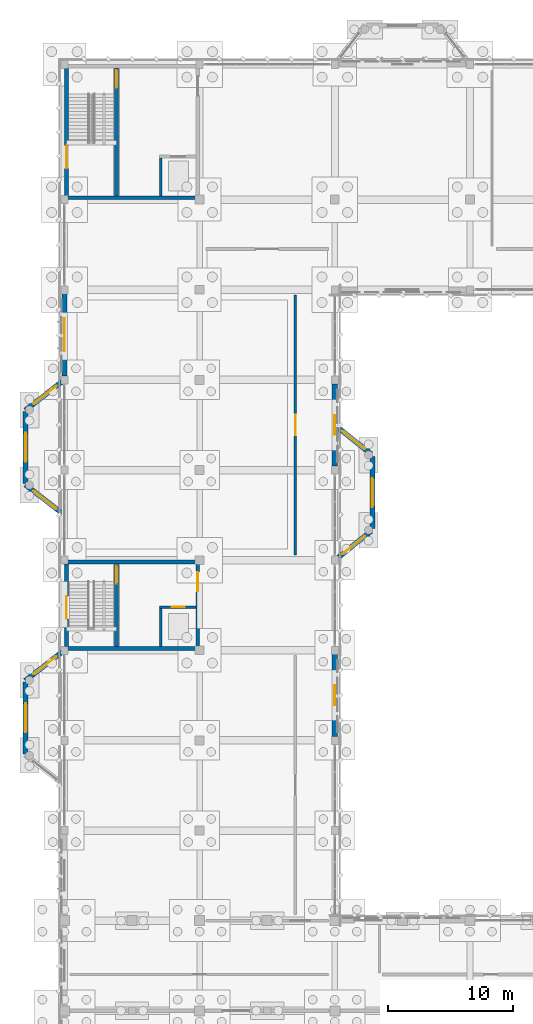
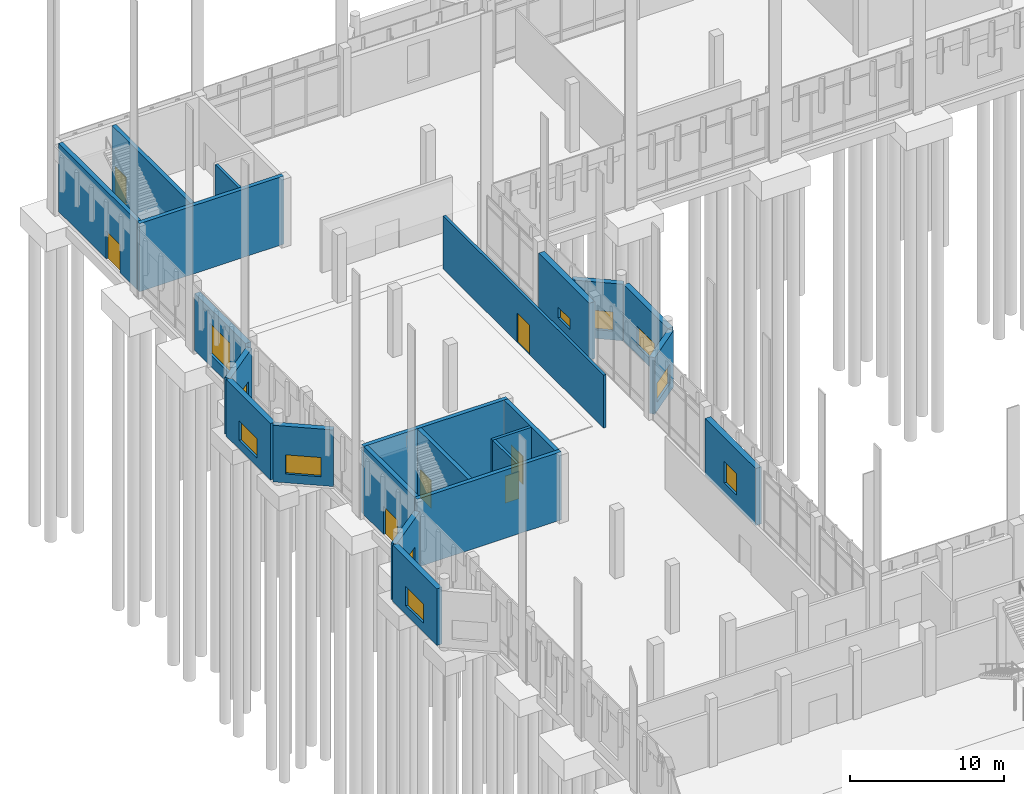
# One storey, part 86 of 109: 23 walls, 11 windows, 7 doors, 18 openings.
"""IFC4 building model written with IfcOpenShell, lengths in metres."""

from ifc_helpers import new_model, si_unit, direction, frame, frame_2d, origin, place, context, subcontext, project, spatial, rectangle, extrude, material, layer, layer_set, type_object, element, fill, save


model = new_model("IFC4")

# Units and contexts
model_context = context("Model", 3, precision=1e-05, world=origin(), true_north=direction((0.0, 1.0)))
body_context = subcontext(model_context, "Body", "Model", "MODEL_VIEW")
ifc_project = project(units=[si_unit("LENGTHUNIT", "METRE"), si_unit("AREAUNIT", "SQUARE_METRE"), si_unit("VOLUMEUNIT", "CUBIC_METRE"), si_unit("PLANEANGLEUNIT", "RADIAN"), si_unit("MASSUNIT", "GRAM", prefix="KILO")], contexts=[model_context])

# Site, building, storey
site_placement = place(None, origin())
site = spatial("IfcSite", under=ifc_project, at=site_placement, CompositionType="ELEMENT")
building_placement = place(site_placement, origin())
building = spatial("IfcBuilding", under=site, at=building_placement, Name="Lusvemor Sports Hall", CompositionType="ELEMENT")
storey_placement = place(building_placement, origin())
storey = spatial("IfcBuildingStorey", under=building, at=storey_placement, Name="L00", CompositionType="ELEMENT", Elevation=0.0)

# Wall, opening, window
ifc_material_1 = material(Name="Precast granite-faced Concrete C40/50 architectural cladding", Category="masonry")
ifc_layer_1 = layer(ifc_material_1, 0.39501953125)
ifc_layer_set_1 = layer_set([ifc_layer_1], Name="Precast granite-faced Concrete C40/50 architectural cladding")
wall_type_1 = type_object("IfcWallType", Name="EW_GRANITE_395", PredefinedType="STANDARD", material=ifc_layer_set_1)
wall_1_placement = place(storey_placement, frame((-3.10009765625, 60.1201171875, 0.0), z_axis=(0.0, 0.0, 1.0), x_axis=(0.0, 1.0, 0.0)))
wall_1 = element("IfcWall", 1, at=wall_1_placement, inside=storey, type_object=wall_type_1, Name="Art Nouveau Bow Wall EW-BOW-W1-L00-2", PredefinedType="STANDARD", context=body_context, shape_type="SweptSolid", body=[
    extrude(rectangle(XDim=5.759765625, YDim=0.39501953125, at=frame_2d((2.8798828125, 0.0))), origin(), (0.0, 0.0, 1.0), 4.47998046875),
])
opening_1_placement = place(wall_1_placement, frame((1.719970703125, 0.0, 0.699951171875)))
opening_1 = element("IfcOpeningElement", 2, at=opening_1_placement, cuts=wall_1, Name="Opening WN21", PredefinedType="OPENING", context=body_context, shape_type="SweptSolid", body=[
    extrude(rectangle(XDim=2.320068359375, YDim=1.52001953125, at=frame_2d((1.16015625, 0.760009765625))), frame((0.0, 0.197509765625, 0.0), z_axis=(0.0, -1.0, 0.0), x_axis=(1.0, 0.0, 0.0)), (0.0, 0.0, 1.0), 0.39501953125),
])
ifc_material_2 = material(Name="Solar-control laminated double glazing", Category="glass")
window_type_1 = type_object("IfcWindowType", Name="WIN_21", PartitioningType="SINGLE_PANEL", PredefinedType="WINDOW", material=ifc_material_2)
window_1_placement = place(opening_1_placement, origin())
window_1 = element("IfcWindow", 3, at=window_1_placement, inside=storey, type_object=window_type_1, Name="Art Nouveau Bow Window BOW-W1 L00-2", OverallHeight=1.52001953125, OverallWidth=2.320068359375, PartitioningType="SINGLE_PANEL", PredefinedType="WINDOW", context=body_context, shape_type="SweptSolid", body=[
    extrude(rectangle(XDim=2.320068359375, YDim=1.52001953125, at=frame_2d((1.16015625, 0.760009765625))), frame((0.0, 0.030029296875, 0.0), z_axis=(0.0, -1.0, 0.0), x_axis=(1.0, 0.0, 0.0)), (0.0, 0.0, 1.0), 0.06005859375),
])
fill(opening_1, window_1)

wall_2_placement = place(storey_placement, frame((-3.134033203125, 65.9736328125, 0.0), z_axis=(0.0, 0.0, 1.0), x_axis=(0.790733325939, 0.612160769119, 0.0)))
wall_2 = element("IfcWall", 4, at=wall_2_placement, inside=storey, type_object=wall_type_1, Name="Art Nouveau Bow Wall EW-BOW-W1-L00-3", PredefinedType="STANDARD", context=body_context, shape_type="SweptSolid", body=[
    extrude(rectangle(XDim=3.96337890625, YDim=0.39501953125, at=frame_2d((1.981689453125, 0.0))), origin(), (0.0, 0.0, 1.0), 4.47998046875),
])
opening_2_placement = place(wall_2_placement, frame((0.843017578125, 0.0, 0.699951171875)))
opening_2 = element("IfcOpeningElement", 5, at=opening_2_placement, cuts=wall_2, Name="Opening WN21", PredefinedType="OPENING", context=body_context, shape_type="SweptSolid", body=[
    extrude(rectangle(XDim=2.320068359375, YDim=1.52001953125, at=frame_2d((1.16015625, 0.760009765625))), frame((0.0, 0.197509765625, 0.0), z_axis=(0.0, -1.0, 0.0), x_axis=(1.0, 0.0, 0.0)), (0.0, 0.0, 1.0), 0.39501953125),
])
window_2_placement = place(opening_2_placement, origin())
window_2 = element("IfcWindow", 6, at=window_2_placement, inside=storey, type_object=window_type_1, Name="Art Nouveau Bow Window BOW-W1 L00-3", OverallHeight=1.52001953125, OverallWidth=2.320068359375, PartitioningType="SINGLE_PANEL", PredefinedType="WINDOW", context=body_context, shape_type="SweptSolid", body=[
    extrude(rectangle(XDim=2.320068359375, YDim=1.52001953125, at=frame_2d((1.16015625, 0.760009765625))), frame((0.0, 0.030029296875, 0.0), z_axis=(0.0, -1.0, 0.0), x_axis=(1.0, 0.0, 0.0)), (0.0, 0.0, 1.0), 0.06005859375),
])
fill(opening_2, window_2)

wall_3_placement = place(storey_placement, frame((-0.00439453125, 79.203369140625, 0.0), z_axis=(0.0, 0.0, 1.0), x_axis=(-0.790735265816, 0.612158263356, 0.0)))
wall_3 = element("IfcWall", 7, at=wall_3_placement, inside=storey, type_object=wall_type_1, Name="Art Nouveau Bow Wall EW-BOW-W2-L00-1", PredefinedType="STANDARD", context=body_context, shape_type="SweptSolid", body=[
    extrude(rectangle(XDim=3.957763671875, YDim=0.39501953125, at=frame_2d((1.97900390625, 0.0))), origin(), (0.0, 0.0, 1.0), 4.47998046875),
])
opening_3_placement = place(wall_3_placement, frame((0.794677734375, 0.0, 0.699951171875)))
opening_3 = element("IfcOpeningElement", 8, at=opening_3_placement, cuts=wall_3, Name="Opening WN21", PredefinedType="OPENING", context=body_context, shape_type="SweptSolid", body=[
    extrude(rectangle(XDim=2.320068359375, YDim=1.52001953125, at=frame_2d((1.16015625, 0.760009765625))), frame((0.0, 0.197509765625, 0.0), z_axis=(0.0, -1.0, 0.0), x_axis=(1.0, 0.0, 0.0)), (0.0, 0.0, 1.0), 0.39501953125),
])
window_3_placement = place(opening_3_placement, origin())
window_3 = element("IfcWindow", 9, at=window_3_placement, inside=storey, type_object=window_type_1, Name="Art Nouveau Bow Window BOW-W2 L00-1", OverallHeight=1.52001953125, OverallWidth=2.320068359375, PartitioningType="SINGLE_PANEL", PredefinedType="WINDOW", context=body_context, shape_type="SweptSolid", body=[
    extrude(rectangle(XDim=2.320068359375, YDim=1.52001953125, at=frame_2d((1.16015625, 0.760009765625))), frame((0.0, 0.030029296875, 0.0), z_axis=(0.0, -1.0, 0.0), x_axis=(1.0, 0.0, 0.0)), (0.0, 0.0, 1.0), 0.06005859375),
])
fill(opening_3, window_3)

wall_4_placement = place(storey_placement, frame((-3.10009765625, 81.719970703125, 0.0), z_axis=(0.0, 0.0, 1.0), x_axis=(0.0, 1.0, 0.0)))
wall_4 = element("IfcWall", 10, at=wall_4_placement, inside=storey, type_object=wall_type_1, Name="Art Nouveau Bow Wall EW-BOW-W2-L00-2", PredefinedType="STANDARD", context=body_context, shape_type="SweptSolid", body=[
    extrude(rectangle(XDim=5.760009765625, YDim=0.39501953125, at=frame_2d((2.8798828125, 0.0))), origin(), (0.0, 0.0, 1.0), 4.47998046875),
])
opening_4_placement = place(wall_4_placement, frame((1.719970703125, 0.0, 0.699951171875)))
opening_4 = element("IfcOpeningElement", 11, at=opening_4_placement, cuts=wall_4, Name="Opening WN21", PredefinedType="OPENING", context=body_context, shape_type="SweptSolid", body=[
    extrude(rectangle(XDim=2.320068359375, YDim=1.52001953125, at=frame_2d((1.16015625, 0.760009765625))), frame((0.0, 0.197509765625, 0.0), z_axis=(0.0, -1.0, 0.0), x_axis=(1.0, 0.0, 0.0)), (0.0, 0.0, 1.0), 0.39501953125),
])
window_4_placement = place(opening_4_placement, origin())
window_4 = element("IfcWindow", 12, at=window_4_placement, inside=storey, type_object=window_type_1, Name="Art Nouveau Bow Window BOW-W2 L00-2", OverallHeight=1.52001953125, OverallWidth=2.320068359375, PartitioningType="SINGLE_PANEL", PredefinedType="WINDOW", context=body_context, shape_type="SweptSolid", body=[
    extrude(rectangle(XDim=2.320068359375, YDim=1.52001953125, at=frame_2d((1.16015625, 0.760009765625))), frame((0.0, 0.030029296875, 0.0), z_axis=(0.0, -1.0, 0.0), x_axis=(1.0, 0.0, 0.0)), (0.0, 0.0, 1.0), 0.06005859375),
])
fill(opening_4, window_4)

wall_5_placement = place(storey_placement, frame((-3.134033203125, 87.57373046875, 0.0), z_axis=(0.0, 0.0, 1.0), x_axis=(0.790748278924, 0.612141453734, 0.0)))
wall_5 = element("IfcWall", 13, at=wall_5_placement, inside=storey, type_object=wall_type_1, Name="Art Nouveau Bow Wall EW-BOW-W2-L00-3", PredefinedType="STANDARD", context=body_context, shape_type="SweptSolid", body=[
    extrude(rectangle(XDim=3.723388671875, YDim=0.39501953125, at=frame_2d((1.86181640625, 0.0))), origin(), (0.0, 0.0, 1.0), 4.47998046875),
])
opening_5_placement = place(wall_5_placement, frame((0.843017578125, 0.0, 0.699951171875)))
opening_5 = element("IfcOpeningElement", 14, at=opening_5_placement, cuts=wall_5, Name="Opening WN21", PredefinedType="OPENING", context=body_context, shape_type="SweptSolid", body=[
    extrude(rectangle(XDim=2.320068359375, YDim=1.52001953125, at=frame_2d((1.16015625, 0.760009765625))), frame((0.0, 0.197509765625, 0.0), z_axis=(0.0, -1.0, 0.0), x_axis=(1.0, 0.0, 0.0)), (0.0, 0.0, 1.0), 0.39501953125),
])
window_5_placement = place(opening_5_placement, origin())
window_5 = element("IfcWindow", 15, at=window_5_placement, inside=storey, type_object=window_type_1, Name="Art Nouveau Bow Window BOW-W2 L00-3", OverallHeight=1.52001953125, OverallWidth=2.320068359375, PartitioningType="SINGLE_PANEL", PredefinedType="WINDOW", context=body_context, shape_type="SweptSolid", body=[
    extrude(rectangle(XDim=2.320068359375, YDim=1.52001953125, at=frame_2d((1.16015625, 0.760009765625))), frame((0.0, 0.030029296875, 0.0), z_axis=(0.0, -1.0, 0.0), x_axis=(1.0, 0.0, 0.0)), (0.0, 0.0, 1.0), 0.06005859375),
])
fill(opening_5, window_5)

wall_6_placement = place(storey_placement, frame((21.896728515625, 86.16259765625, 0.0), z_axis=(0.0, 0.0, 1.0), x_axis=(0.780875936628, -0.62468613847, 0.0)))
wall_6 = element("IfcWall", 16, at=wall_6_placement, inside=storey, type_object=wall_type_1, Name="Art Nouveau Bow Wall EW-BOW-CT-L00-1", PredefinedType="STANDARD", context=body_context, shape_type="SweptSolid", body=[
    extrude(rectangle(XDim=3.341796875, YDim=0.39501953125, at=frame_2d((1.6708984375, 0.0))), origin(), (0.0, 0.0, 1.0), 4.47998046875),
])
opening_6_placement = place(wall_6_placement, frame((0.381103515625, 0.0, 0.699951171875)))
opening_6 = element("IfcOpeningElement", 17, at=opening_6_placement, cuts=wall_6, Name="Opening WN21", PredefinedType="OPENING", context=body_context, shape_type="SweptSolid", body=[
    extrude(rectangle(XDim=2.320068359375, YDim=1.52001953125, at=frame_2d((1.16015625, 0.760009765625))), frame((0.0, 0.197509765625, 0.0), z_axis=(0.0, -1.0, 0.0), x_axis=(1.0, 0.0, 0.0)), (0.0, 0.0, 1.0), 0.39501953125),
])
window_6_placement = place(opening_6_placement, origin())
window_6 = element("IfcWindow", 18, at=window_6_placement, inside=storey, type_object=window_type_1, Name="Art Nouveau Bow Window BOW-CT L00-1", OverallHeight=1.52001953125, OverallWidth=2.320068359375, PartitioningType="SINGLE_PANEL", PredefinedType="WINDOW", context=body_context, shape_type="SweptSolid", body=[
    extrude(rectangle(XDim=2.320068359375, YDim=1.52001953125, at=frame_2d((1.16015625, 0.760009765625))), frame((0.0, 0.030029296875, 0.0), z_axis=(0.0, -1.0, 0.0), x_axis=(1.0, 0.0, 0.0)), (0.0, 0.0, 1.0), 0.06005859375),
])
fill(opening_6, window_6)

wall_7_placement = place(storey_placement, frame((24.60009765625, 83.8798828125, 0.0), z_axis=(0.0, 0.0, 1.0), x_axis=(0.0, -1.0, 0.0)))
wall_7 = element("IfcWall", 19, at=wall_7_placement, inside=storey, type_object=wall_type_1, Name="Art Nouveau Bow Wall EW-BOW-CT-L00-2", PredefinedType="STANDARD", context=body_context, shape_type="SweptSolid", body=[
    extrude(rectangle(XDim=5.759765625, YDim=0.39501953125, at=frame_2d((2.8798828125, 0.0))), origin(), (0.0, 0.0, 1.0), 4.47998046875),
])
opening_7_placement = place(wall_7_placement, frame((1.719970703125, 0.0, 0.699951171875)))
opening_7 = element("IfcOpeningElement", 20, at=opening_7_placement, cuts=wall_7, Name="Opening WN21", PredefinedType="OPENING", context=body_context, shape_type="SweptSolid", body=[
    extrude(rectangle(XDim=2.320068359375, YDim=1.52001953125, at=frame_2d((1.16015625, 0.760009765625))), frame((0.0, 0.197509765625, 0.0), z_axis=(0.0, -1.0, 0.0), x_axis=(1.0, 0.0, 0.0)), (0.0, 0.0, 1.0), 0.39501953125),
])
window_7_placement = place(opening_7_placement, origin())
window_7 = element("IfcWindow", 21, at=window_7_placement, inside=storey, type_object=window_type_1, Name="Art Nouveau Bow Window BOW-CT L00-2", OverallHeight=1.52001953125, OverallWidth=2.320068359375, PartitioningType="SINGLE_PANEL", PredefinedType="WINDOW", context=body_context, shape_type="SweptSolid", body=[
    extrude(rectangle(XDim=2.320068359375, YDim=1.52001953125, at=frame_2d((1.16015625, 0.760009765625))), frame((0.0, 0.030029296875, 0.0), z_axis=(0.0, -1.0, 0.0), x_axis=(1.0, 0.0, 0.0)), (0.0, 0.0, 1.0), 0.06005859375),
])
fill(opening_7, window_7)

wall_8_placement = place(storey_placement, frame((24.50634765625, 77.925048828125, 0.0), z_axis=(0.0, 0.0, 1.0), x_axis=(-0.780875936628, -0.62468613847, 0.0)))
wall_8 = element("IfcWall", 22, at=wall_8_placement, inside=storey, type_object=wall_type_1, Name="Art Nouveau Bow Wall EW-BOW-CT-L00-3", PredefinedType="STANDARD", context=body_context, shape_type="SweptSolid", body=[
    extrude(rectangle(XDim=3.341796875, YDim=0.39501953125, at=frame_2d((1.6708984375, 0.0))), origin(), (0.0, 0.0, 1.0), 4.47998046875),
])
opening_8_placement = place(wall_8_placement, frame((0.64111328125, 0.0, 0.699951171875)))
opening_8 = element("IfcOpeningElement", 23, at=opening_8_placement, cuts=wall_8, Name="Opening WN21", PredefinedType="OPENING", context=body_context, shape_type="SweptSolid", body=[
    extrude(rectangle(XDim=2.320068359375, YDim=1.52001953125, at=frame_2d((1.16015625, 0.760009765625))), frame((0.0, 0.197509765625, 0.0), z_axis=(0.0, -1.0, 0.0), x_axis=(1.0, 0.0, 0.0)), (0.0, 0.0, 1.0), 0.39501953125),
])
window_8_placement = place(opening_8_placement, origin())
window_8 = element("IfcWindow", 24, at=window_8_placement, inside=storey, type_object=window_type_1, Name="Art Nouveau Bow Window BOW-CT L00-3", OverallHeight=1.52001953125, OverallWidth=2.320068359375, PartitioningType="SINGLE_PANEL", PredefinedType="WINDOW", context=body_context, shape_type="SweptSolid", body=[
    extrude(rectangle(XDim=2.320068359375, YDim=1.52001953125, at=frame_2d((1.16015625, 0.760009765625))), frame((0.0, 0.030029296875, 0.0), z_axis=(0.0, -1.0, 0.0), x_axis=(1.0, 0.0, 0.0)), (0.0, 0.0, 1.0), 0.06005859375),
])
fill(opening_8, window_8)

ifc_material_3 = material(Name="Precast granite-faced Concrete C40/50 architectural cladding", Category="masonry")
ifc_layer_2 = layer(ifc_material_3, 0.419921875)
ifc_layer_set_2 = layer_set([ifc_layer_2], Name="Precast granite-faced Concrete C40/50 architectural cladding")
wall_type_2 = type_object("IfcWallType", Name="EW_GRANITE_420", PredefinedType="STANDARD", material=ifc_layer_set_2)
wall_9_placement = place(storey_placement, frame((0.0, 90.31591796875, 0.0), z_axis=(0.0, 0.0, 1.0), x_axis=(0.0, 1.0, 0.0)))
wall_9 = element("IfcWall", 25, at=wall_9_placement, inside=storey, type_object=wall_type_2, Name="Exterior Wall EW-L00-W-0-6", PredefinedType="STANDARD", context=body_context, shape_type="SweptSolid", body=[
    extrude(rectangle(XDim=6.568115234375, YDim=0.419921875, at=frame_2d((3.2841796875, 0.0))), origin(), (0.0, 0.0, 1.0), 4.514892578125),
])
opening_9_placement = place(wall_9_placement, frame((1.958984375, 0.0, 0.89990234375)))
opening_9 = element("IfcOpeningElement", 26, at=opening_9_placement, cuts=wall_9, Name="Opening WN07", PredefinedType="OPENING", context=body_context, shape_type="SweptSolid", body=[
    extrude(rectangle(XDim=2.64990234375, YDim=2.449951171875, at=frame_2d((1.324951171875, 1.22509765625))), frame((0.0, 0.2099609375, 0.0), z_axis=(0.0, -1.0, 0.0), x_axis=(1.0, 0.0, 0.0)), (0.0, 0.0, 1.0), 0.419921875),
])
ifc_material_4 = material(Name="Solar-control laminated double glazing", Category="glass")
window_type_2 = type_object("IfcWindowType", Name="WIN_07", PartitioningType="SINGLE_PANEL", PredefinedType="WINDOW", material=ifc_material_4)
window_9_placement = place(opening_9_placement, origin())
window_9 = element("IfcWindow", 27, at=window_9_placement, inside=storey, type_object=window_type_2, Name="Wing Window L00-W-0-6", OverallHeight=2.449951171875, OverallWidth=2.64990234375, PartitioningType="SINGLE_PANEL", PredefinedType="WINDOW", context=body_context, shape_type="SweptSolid", body=[
    extrude(rectangle(XDim=2.64990234375, YDim=2.449951171875, at=frame_2d((1.324951171875, 1.22509765625))), frame((0.0, 0.030029296875, 0.0), z_axis=(0.0, -1.0, 0.0), x_axis=(1.0, 0.0, 0.0)), (0.0, 0.0, 1.0), 0.06005859375),
])
fill(opening_9, window_9)

wall_10_placement = place(storey_placement, frame((21.60009765625, 68.083984375, 0.0), z_axis=(0.0, 0.0, 1.0), x_axis=(0.0, -1.0, 0.0)))
wall_10 = element("IfcWall", 28, at=wall_10_placement, inside=storey, type_object=wall_type_2, Name="Exterior Wall EW-L00-E-4-2", PredefinedType="STANDARD", context=body_context, shape_type="SweptSolid", body=[
    extrude(rectangle(XDim=6.56787109375, YDim=0.419921875, at=frame_2d((3.283935546875, 0.0))), origin(), (0.0, 0.0, 1.0), 4.514892578125),
])
opening_10_placement = place(wall_10_placement, frame((2.47412109375, 0.0, 0.89990234375)))
opening_10 = element("IfcOpeningElement", 29, at=opening_10_placement, cuts=wall_10, Name="Opening WN11", PredefinedType="OPENING", context=body_context, shape_type="SweptSolid", body=[
    extrude(rectangle(XDim=1.6201171875, YDim=1.719970703125, at=frame_2d((0.81005859375, 0.85986328125))), frame((0.0, 0.2099609375, 0.0), z_axis=(0.0, -1.0, 0.0), x_axis=(1.0, 0.0, 0.0)), (0.0, 0.0, 1.0), 0.419921875),
])
ifc_material_5 = material(Name="Solar-control laminated double glazing", Category="glass")
window_type_3 = type_object("IfcWindowType", Name="WIN_11", PartitioningType="SINGLE_PANEL", PredefinedType="WINDOW", material=ifc_material_5)
window_10_placement = place(opening_10_placement, origin())
window_10 = element("IfcWindow", 30, at=window_10_placement, inside=storey, type_object=window_type_3, Name="Wing Window L00-E-4-2", OverallHeight=1.719970703125, OverallWidth=1.6201171875, PartitioningType="SINGLE_PANEL", PredefinedType="WINDOW", context=body_context, shape_type="SweptSolid", body=[
    extrude(rectangle(XDim=1.6201171875, YDim=1.719970703125, at=frame_2d((0.81005859375, 0.85986328125))), frame((0.0, 0.030029296875, 0.0), z_axis=(0.0, -1.0, 0.0), x_axis=(1.0, 0.0, 0.0)), (0.0, 0.0, 1.0), 0.06005859375),
])
fill(opening_10, window_10)

wall_11_placement = place(storey_placement, frame((21.60009765625, 89.68408203125, 0.0), z_axis=(0.0, 0.0, 1.0), x_axis=(0.0, -1.0, 0.0)))
wall_11 = element("IfcWall", 31, at=wall_11_placement, inside=storey, type_object=wall_type_2, Name="Exterior Wall EW-L00-E-4-5", PredefinedType="STANDARD", context=body_context, shape_type="SweptSolid", body=[
    extrude(rectangle(XDim=6.568115234375, YDim=0.419921875, at=frame_2d((3.2841796875, 0.0))), origin(), (0.0, 0.0, 1.0), 4.514892578125),
])
opening_11_placement = place(wall_11_placement, frame((2.513916015625, 0.0, 0.89990234375)))
opening_11 = element("IfcOpeningElement", 32, at=opening_11_placement, cuts=wall_11, Name="Opening WN14", PredefinedType="OPENING", context=body_context, shape_type="SweptSolid", body=[
    extrude(rectangle(XDim=1.5400390625, YDim=0.860107421875, at=frame_2d((0.77001953125, 0.43017578125))), frame((0.0, 0.2099609375, 0.0), z_axis=(0.0, -1.0, 0.0), x_axis=(1.0, 0.0, 0.0)), (0.0, 0.0, 1.0), 0.419921875),
])
ifc_material_6 = material(Name="Solar-control laminated double glazing", Category="glass")
window_type_4 = type_object("IfcWindowType", Name="WIN_14", PartitioningType="SINGLE_PANEL", PredefinedType="WINDOW", material=ifc_material_6)
window_11_placement = place(opening_11_placement, origin())
window_11 = element("IfcWindow", 33, at=window_11_placement, inside=storey, type_object=window_type_4, Name="Wing Window L00-E-4-5", OverallHeight=0.860107421875, OverallWidth=1.5400390625, PartitioningType="SINGLE_PANEL", PredefinedType="WINDOW", context=body_context, shape_type="SweptSolid", body=[
    extrude(rectangle(XDim=1.5400390625, YDim=0.860107421875, at=frame_2d((0.77001953125, 0.43017578125))), frame((0.0, 0.030029296875, 0.0), z_axis=(0.0, -1.0, 0.0), x_axis=(1.0, 0.0, 0.0)), (0.0, 0.0, 1.0), 0.06005859375),
])
fill(opening_11, window_11)

# Wall, opening, door
ifc_material_7 = material(Name="Double-leaf acoustic gypsum board on metal studs")
ifc_layer_3 = layer(ifc_material_7, 0.199951171875)
ifc_layer_set_3 = layer_set([ifc_layer_3], Name="Double-leaf acoustic gypsum board on metal studs")
wall_type_3 = type_object("IfcWallType", Name="IW_ACOUST_202", PredefinedType="STANDARD", material=ifc_layer_set_3)
wall_12_placement = place(storey_placement, frame((18.449951171875, 76.0, 0.0), z_axis=(0.0, 0.0, 1.0), x_axis=(0.0, 1.0, 0.0)))
wall_12 = element("IfcWall", 34, at=wall_12_placement, inside=storey, type_object=wall_type_3, Name="Partition IW-L00-W-DANCE1", PredefinedType="STANDARD", context=body_context, shape_type="SweptSolid", body=[
    extrude(rectangle(XDim=20.800048828125, YDim=0.199951171875, at=frame_2d((10.39990234375, 0.0))), origin(), (0.0, 0.0, 1.0), 4.199951171875),
])
opening_12_placement = place(wall_12_placement, frame((9.570068359375, 0.0, 0.0)))
opening_12 = element("IfcOpeningElement", 35, at=opening_12_placement, cuts=wall_12, Name="Opening ID06", PredefinedType="OPENING", context=body_context, shape_type="SweptSolid", body=[
    extrude(rectangle(XDim=1.659912109375, YDim=2.320068359375, at=frame_2d((0.830078125, 1.16015625))), frame((0.0, 0.10009765625, 0.0), z_axis=(0.0, -1.0, 0.0), x_axis=(1.0, 0.0, 0.0)), (0.0, 0.0, 1.0), 0.199951171875),
])
ifc_material_8 = material(Name="Acoustic solid-core hardwood door leaf in steel frame", Category="steel")
door_type_1 = type_object("IfcDoorType", Name="IDR_DANCE_166", OperationType="NOTDEFINED", PredefinedType="DOOR", material=ifc_material_8)
door_1_placement = place(opening_12_placement, origin())
door_1 = element("IfcDoor", 36, at=door_1_placement, inside=storey, type_object=door_type_1, Name="DR-159", OperationType="SINGLE_SWING_LEFT", OverallHeight=2.320068359375, OverallWidth=1.659912109375, PredefinedType="DOOR", context=body_context, shape_type="SweptSolid", body=[
    extrude(rectangle(XDim=1.659912109375, YDim=2.320068359375, at=frame_2d((0.830078125, 1.16015625))), frame((0.0, 0.02490234375, 0.0), z_axis=(0.0, -1.0, 0.0), x_axis=(1.0, 0.0, 0.0)), (0.0, 0.0, 1.0), 0.050048828125),
])
fill(opening_12, door_1)

# Wall
ifc_material_9 = material(Name="Concrete C40/50", Category="concrete")
ifc_layer_4 = layer(ifc_material_9, 0.2099609375)
ifc_layer_set_4 = layer_set([ifc_layer_4], Name="Concrete C40/50")
wall_type_4 = type_object("IfcWallType", Name="IW_SHFT_212", PredefinedType="STANDARD", material=ifc_layer_set_4)
wall_13_placement = place(storey_placement, frame((7.695068359375, 104.699951171875, 0.0), z_axis=(0.0, 0.0, 1.0), x_axis=(0.0, 1.0, 0.0)))
element("IfcWall", 37, at=wall_13_placement, inside=storey, type_object=wall_type_4, Name="Lift LF-01 Shaft Side Wall (L00)", PredefinedType="STANDARD", context=body_context, shape_type="SweptSolid", body=[
    extrude(rectangle(XDim=3.045166015625, YDim=0.2099609375, at=frame_2d((1.5224609375, 0.0))), origin(), (0.0, 0.0, 1.0), 5.39990234375),
])

# Wall, opening, door
wall_14_placement = place(storey_placement, frame((7.590087890625, 71.85009765625, 0.0), z_axis=(0.0, 0.0, 1.0), x_axis=(1.0, 0.0, 0.0)))
wall_14 = element("IfcWall", 38, at=wall_14_placement, inside=storey, type_object=wall_type_4, Name="Lift LP-02 Shaft Front Wall (L00)", PredefinedType="STANDARD", context=body_context, shape_type="SweptSolid", body=[
    extrude(rectangle(XDim=2.909912109375, YDim=0.2099609375, at=frame_2d((1.455078125, 0.0))), origin(), (0.0, 0.0, 1.0), 5.39990234375),
])
opening_13_placement = place(wall_14_placement, frame((0.989990234375, 0.0, 0.0)))
opening_13 = element("IfcOpeningElement", 39, at=opening_13_placement, cuts=wall_14, Name="Opening LD-02", PredefinedType="OPENING", context=body_context, shape_type="SweptSolid", body=[
    extrude(rectangle(XDim=1.0400390625, YDim=2.159912109375, at=frame_2d((0.52001953125, 1.080078125))), frame((0.0, 0.10498046875, 0.0), z_axis=(0.0, -1.0, 0.0), x_axis=(1.0, 0.0, 0.0)), (0.0, 0.0, 1.0), 0.2099609375),
])
ifc_material_10 = material(Name="Brushed stainless-steel sliding lift landing door", Category="steel")
door_type_2 = type_object("IfcDoorType", Name="LIFT_DOOR_PAX_104", OperationType="NOTDEFINED", PredefinedType="DOOR", material=ifc_material_10)
door_2_placement = place(opening_13_placement, origin())
door_2 = element("IfcDoor", 40, at=door_2_placement, inside=storey, type_object=door_type_2, Name="DR-068", OperationType="SLIDING_TO_LEFT", OverallHeight=2.159912109375, OverallWidth=1.0400390625, PredefinedType="DOOR", context=body_context, shape_type="SweptSolid", body=[
    extrude(rectangle(XDim=1.0400390625, YDim=2.159912109375, at=frame_2d((0.52001953125, 1.080078125))), frame((0.0, 0.02490234375, 0.0), z_axis=(0.0, -1.0, 0.0), x_axis=(1.0, 0.0, 0.0)), (0.0, 0.0, 1.0), 0.050048828125),
])
fill(opening_13, door_2)

# Walls
wall_15_placement = place(storey_placement, frame((7.695068359375, 68.699951171875, 0.0), z_axis=(0.0, 0.0, 1.0), x_axis=(0.0, 1.0, 0.0)))
element("IfcWall", 41, at=wall_15_placement, inside=storey, type_object=wall_type_4, Name="Lift LP-02 Shaft Side Wall (L00)", PredefinedType="STANDARD", context=body_context, shape_type="SweptSolid", body=[
    extrude(rectangle(XDim=3.045166015625, YDim=0.2099609375, at=frame_2d((1.5224609375, 0.0))), origin(), (0.0, 0.0, 1.0), 5.39990234375),
])
ifc_material_11 = material(Name="Concrete C40/50", Category="concrete")
ifc_layer_5 = layer(ifc_material_11, 0.300048828125)
ifc_layer_set_5 = layer_set([ifc_layer_5], Name="Concrete C40/50")
wall_type_5 = type_object("IfcWallType", Name="WALL_CORE_300_INT", PredefinedType="SHEAR", material=ifc_layer_set_5)
wall_16_placement = place(storey_placement, frame((10.800048828125, 104.550048828125, 0.0), z_axis=(0.0, 0.0, 1.0), x_axis=(-1.0, 0.0, 0.0)))
element("IfcWall", 42, at=wall_16_placement, inside=storey, type_object=wall_type_5, Name="Core C1 Northwest Shear Wall S (L00)", PredefinedType="SHEAR", context=body_context, shape_type="SweptSolid", body=[
    extrude(rectangle(XDim=10.800048828125, YDim=0.300048828125, at=frame_2d((5.39990234375, 0.0))), origin(), (0.0, 0.0, 1.0), 5.39990234375),
])

# Wall, opening, door
wall_17_placement = place(storey_placement, frame((4.14990234375, 104.699951171875, 0.0), z_axis=(0.0, 0.0, 1.0), x_axis=(0.0, 1.0, 0.0)))
wall_17 = element("IfcWall", 43, at=wall_17_placement, inside=storey, type_object=wall_type_5, Name="Core C1 Northwest Shear Wall M (L00)", PredefinedType="SHEAR", context=body_context, shape_type="SweptSolid", body=[
    extrude(rectangle(XDim=10.199951171875, YDim=0.300048828125, at=frame_2d((5.10009765625, 0.0))), origin(), (0.0, 0.0, 1.0), 5.39990234375),
])
opening_14_placement = place(wall_17_placement, frame((8.6298828125, 0.0, 0.0)))
opening_14 = element("IfcOpeningElement", 44, at=opening_14_placement, cuts=wall_17, Name="Opening DR-FD90-01", PredefinedType="OPENING", context=body_context, shape_type="SweptSolid", body=[
    extrude(rectangle(XDim=1.419921875, YDim=2.199951171875, at=frame_2d((0.7099609375, 1.10009765625))), frame((0.0, 0.14990234375, 0.0), z_axis=(0.0, -1.0, 0.0), x_axis=(1.0, 0.0, 0.0)), (0.0, 0.0, 1.0), 0.300048828125),
])
ifc_material_12 = material(Name="Fire-rated insulated painted steel door assembly", Category="steel")
door_type_3 = type_object("IfcDoorType", Name="IDR_STAIR_FD90_142", OperationType="NOTDEFINED", PredefinedType="DOOR", material=ifc_material_12)
door_3_placement = place(opening_14_placement, origin())
door_3 = element("IfcDoor", 45, at=door_3_placement, inside=storey, type_object=door_type_3, Name="DR-042", OperationType="SINGLE_SWING_LEFT", OverallHeight=2.199951171875, OverallWidth=1.419921875, PredefinedType="DOOR", context=body_context, shape_type="SweptSolid", body=[
    extrude(rectangle(XDim=1.419921875, YDim=2.199951171875, at=frame_2d((0.7099609375, 1.10009765625))), frame((0.0, 0.02490234375, 0.0), z_axis=(0.0, -1.0, 0.0), x_axis=(1.0, 0.0, 0.0)), (0.0, 0.0, 1.0), 0.050048828125),
])
fill(opening_14, door_3)

# Walls
for number, where, z_axis, x_axis, name in (
    (46, (10.800048828125, 68.550048828125, 0.0), (0.0, 0.0, 1.0), (-1.0, 0.0, 0.0), "Core C3 West-Central Shear Wall S (L00)"),
    (47, (0.0, 75.449951171875, 0.0), (0.0, 0.0, 1.0), (1.0, 0.0, 0.0), "Core C3 West-Central Shear Wall N (L00)"),
):
    element("IfcWall", number, at=place(storey_placement, frame(where, z_axis=z_axis, x_axis=x_axis)), inside=storey, type_object=wall_type_5, Name=name, PredefinedType="SHEAR", context=body_context, shape_type="SweptSolid", body=[
        extrude(rectangle(XDim=10.800048828125, YDim=0.300048828125, at=frame_2d((5.39990234375, 0.0))), origin(), (0.0, 0.0, 1.0), 5.39990234375),
    ])

# Wall, opening, door
wall_18_placement = place(storey_placement, frame((10.64990234375, 75.300048828125, 0.0), z_axis=(0.0, 0.0, 1.0), x_axis=(0.0, -1.0, 0.0)))
wall_18 = element("IfcWall", 48, at=wall_18_placement, inside=storey, type_object=wall_type_5, Name="Core C3 West-Central Shear Wall E (L00)", PredefinedType="SHEAR", context=body_context, shape_type="SweptSolid", body=[
    extrude(rectangle(XDim=6.60009765625, YDim=0.300048828125, at=frame_2d((3.300048828125, 0.0))), origin(), (0.0, 0.0, 1.0), 5.39990234375),
])
opening_15_placement = place(wall_18_placement, frame((0.64990234375, 0.0, 0.0)))
opening_15 = element("IfcOpeningElement", 49, at=opening_15_placement, cuts=wall_18, Name="Opening DR-FD60-01", PredefinedType="OPENING", context=body_context, shape_type="SweptSolid", body=[
    extrude(rectangle(XDim=1.5400390625, YDim=2.219970703125, at=frame_2d((0.77001953125, 1.10986328125))), frame((0.0, 0.14990234375, 0.0), z_axis=(0.0, -1.0, 0.0), x_axis=(1.0, 0.0, 0.0)), (0.0, 0.0, 1.0), 0.300048828125),
])
ifc_material_13 = material(Name="Fire-rated insulated painted steel door assembly", Category="steel")
door_type_4 = type_object("IfcDoorType", Name="IDR_LOBBY_FD60_154", OperationType="NOTDEFINED", PredefinedType="DOOR", material=ifc_material_13)
door_4_placement = place(opening_15_placement, origin())
door_4 = element("IfcDoor", 50, at=door_4_placement, inside=storey, type_object=door_type_4, Name="DR-074", OperationType="SINGLE_SWING_LEFT", OverallHeight=2.219970703125, OverallWidth=1.5400390625, PredefinedType="DOOR", context=body_context, shape_type="SweptSolid", body=[
    extrude(rectangle(XDim=1.5400390625, YDim=2.219970703125, at=frame_2d((0.77001953125, 1.10986328125))), frame((0.0, 0.02490234375, 0.0), z_axis=(0.0, -1.0, 0.0), x_axis=(1.0, 0.0, 0.0)), (0.0, 0.0, 1.0), 0.050048828125),
])
fill(opening_15, door_4)

wall_19_placement = place(storey_placement, frame((4.14990234375, 68.699951171875, 0.0), z_axis=(0.0, 0.0, 1.0), x_axis=(0.0, 1.0, 0.0)))
wall_19 = element("IfcWall", 51, at=wall_19_placement, inside=storey, type_object=wall_type_5, Name="Core C3 West-Central Shear Wall M (L00)", PredefinedType="SHEAR", context=body_context, shape_type="SweptSolid", body=[
    extrude(rectangle(XDim=6.60009765625, YDim=0.300048828125, at=frame_2d((3.300048828125, 0.0))), origin(), (0.0, 0.0, 1.0), 5.39990234375),
])
opening_16_placement = place(wall_19_placement, frame((5.030029296875, 0.0, 0.0)))
opening_16 = element("IfcOpeningElement", 52, at=opening_16_placement, cuts=wall_19, Name="Opening DR-FD90-01", PredefinedType="OPENING", context=body_context, shape_type="SweptSolid", body=[
    extrude(rectangle(XDim=1.419921875, YDim=2.199951171875, at=frame_2d((0.7099609375, 1.10009765625))), frame((0.0, 0.14990234375, 0.0), z_axis=(0.0, -1.0, 0.0), x_axis=(1.0, 0.0, 0.0)), (0.0, 0.0, 1.0), 0.300048828125),
])
door_5_placement = place(opening_16_placement, origin())
door_5 = element("IfcDoor", 53, at=door_5_placement, inside=storey, type_object=door_type_3, Name="DR-073", OperationType="SINGLE_SWING_RIGHT", OverallHeight=2.199951171875, OverallWidth=1.419921875, PredefinedType="DOOR", context=body_context, shape_type="SweptSolid", body=[
    extrude(rectangle(XDim=1.419921875, YDim=2.199951171875, at=frame_2d((0.7099609375, 1.10009765625))), frame((0.0, 0.02490234375, 0.0), z_axis=(0.0, -1.0, 0.0), x_axis=(1.0, 0.0, 0.0)), (0.0, 0.0, 1.0), 0.050048828125),
])
fill(opening_16, door_5)

ifc_material_14 = material(Name="Concrete C40/50", Category="concrete")
ifc_layer_6 = layer(ifc_material_14, 0.324951171875)
ifc_layer_set_6 = layer_set([ifc_layer_6], Name="Concrete C40/50")
wall_type_6 = type_object("IfcWallType", Name="WALL_CORE_325_EXT", PredefinedType="SHEAR", material=ifc_layer_set_6)
wall_20_placement = place(storey_placement, frame((0.14990234375, 104.699951171875, 0.0), z_axis=(0.0, 0.0, 1.0), x_axis=(0.0, 1.0, 0.0)))
wall_20 = element("IfcWall", 54, at=wall_20_placement, inside=storey, type_object=wall_type_6, Name="Core C1 Northwest Shear Wall W (L00)", PredefinedType="SHEAR", context=body_context, shape_type="SweptSolid", body=[
    extrude(rectangle(XDim=10.199951171875, YDim=0.324951171875, at=frame_2d((5.10009765625, 0.0))), origin(), (0.0, 0.0, 1.0), 5.39990234375),
])
opening_17_placement = place(wall_20_placement, frame((2.199951171875, 0.0, 0.0)))
opening_17 = element("IfcOpeningElement", 55, at=opening_17_placement, cuts=wall_20, Name="Opening ED04", PredefinedType="OPENING", context=body_context, shape_type="SweptSolid", body=[
    extrude(rectangle(XDim=1.820068359375, YDim=2.219970703125, at=frame_2d((0.91015625, 1.10986328125))), frame((0.0, 0.16259765625, 0.0), z_axis=(0.0, -1.0, 0.0), x_axis=(1.0, 0.0, 0.0)), (0.0, 0.0, 1.0), 0.324951171875),
])
ifc_material_15 = material(Name="Thermally broken bronze-anodized aluminium", Category="aluminium")
door_type_5 = type_object("IfcDoorType", Name="EDR_STAIR_EXIT_182x222", OperationType="NOTDEFINED", PredefinedType="DOOR", material=ifc_material_15)
door_6_placement = place(opening_17_placement, origin())
door_6 = element("IfcDoor", 56, at=door_6_placement, inside=storey, type_object=door_type_5, Name="DR-001", OperationType="SINGLE_SWING_LEFT", OverallHeight=2.219970703125, OverallWidth=1.820068359375, PredefinedType="DOOR", context=body_context, shape_type="SweptSolid", body=[
    extrude(rectangle(XDim=1.820068359375, YDim=2.219970703125, at=frame_2d((0.91015625, 1.10986328125))), frame((0.0, 0.02490234375, 0.0), z_axis=(0.0, -1.0, 0.0), x_axis=(1.0, 0.0, 0.0)), (0.0, 0.0, 1.0), 0.050048828125),
])
fill(opening_17, door_6)

wall_21_placement = place(storey_placement, frame((0.14990234375, 68.699951171875, 0.0), z_axis=(0.0, 0.0, 1.0), x_axis=(0.0, 1.0, 0.0)))
wall_21 = element("IfcWall", 57, at=wall_21_placement, inside=storey, type_object=wall_type_6, Name="Core C3 West-Central Shear Wall W (L00)", PredefinedType="SHEAR", context=body_context, shape_type="SweptSolid", body=[
    extrude(rectangle(XDim=6.60009765625, YDim=0.324951171875, at=frame_2d((3.300048828125, 0.0))), origin(), (0.0, 0.0, 1.0), 5.39990234375),
])
opening_18_placement = place(wall_21_placement, frame((2.199951171875, 0.0, 0.0)))
opening_18 = element("IfcOpeningElement", 58, at=opening_18_placement, cuts=wall_21, Name="Opening ED04", PredefinedType="OPENING", context=body_context, shape_type="SweptSolid", body=[
    extrude(rectangle(XDim=1.820068359375, YDim=2.219970703125, at=frame_2d((0.91015625, 1.10986328125))), frame((0.0, 0.16259765625, 0.0), z_axis=(0.0, -1.0, 0.0), x_axis=(1.0, 0.0, 0.0)), (0.0, 0.0, 1.0), 0.324951171875),
])
door_7_placement = place(opening_18_placement, origin())
door_7 = element("IfcDoor", 59, at=door_7_placement, inside=storey, type_object=door_type_5, Name="DR-003", OperationType="SINGLE_SWING_LEFT", OverallHeight=2.219970703125, OverallWidth=1.820068359375, PredefinedType="DOOR", context=body_context, shape_type="SweptSolid", body=[
    extrude(rectangle(XDim=1.820068359375, YDim=2.219970703125, at=frame_2d((0.91015625, 1.10986328125))), frame((0.0, 0.02490234375, 0.0), z_axis=(0.0, -1.0, 0.0), x_axis=(1.0, 0.0, 0.0)), (0.0, 0.0, 1.0), 0.050048828125),
])
fill(opening_18, door_7)

save(model, "model.ifc")
